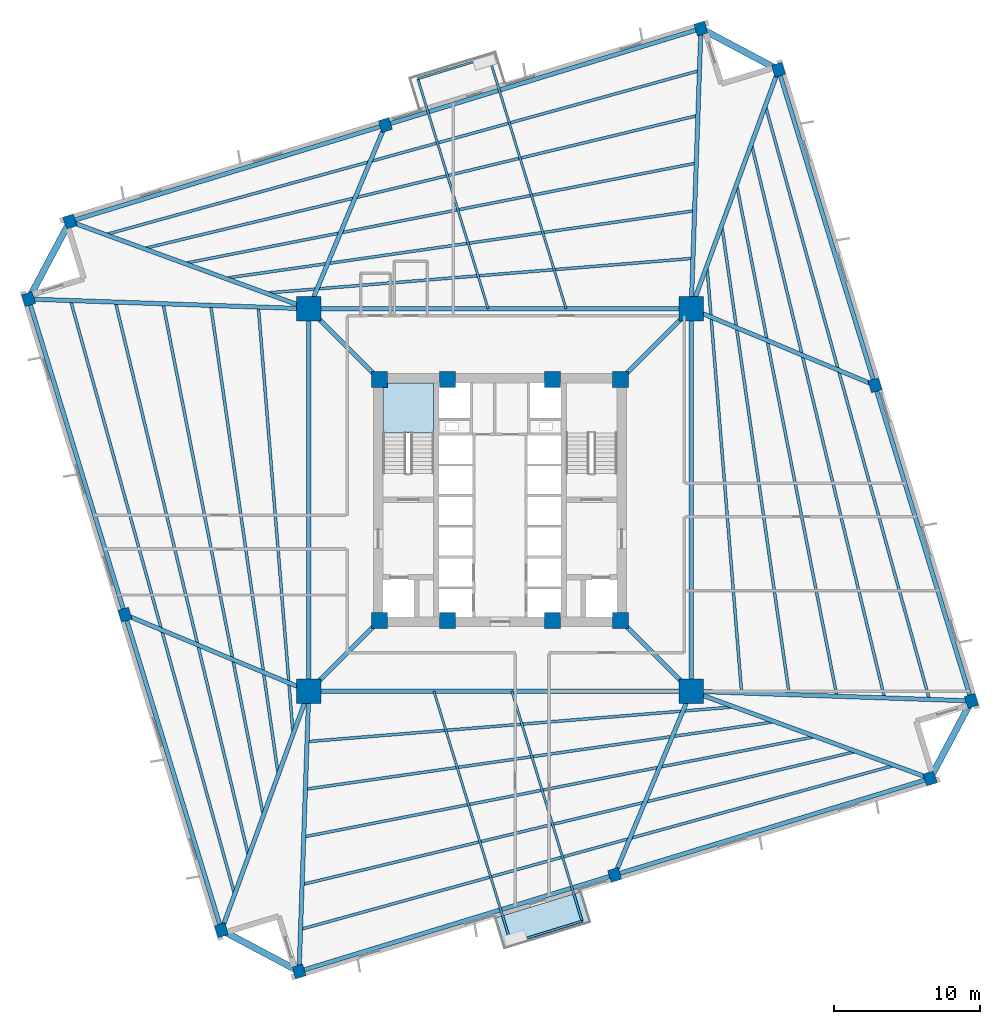
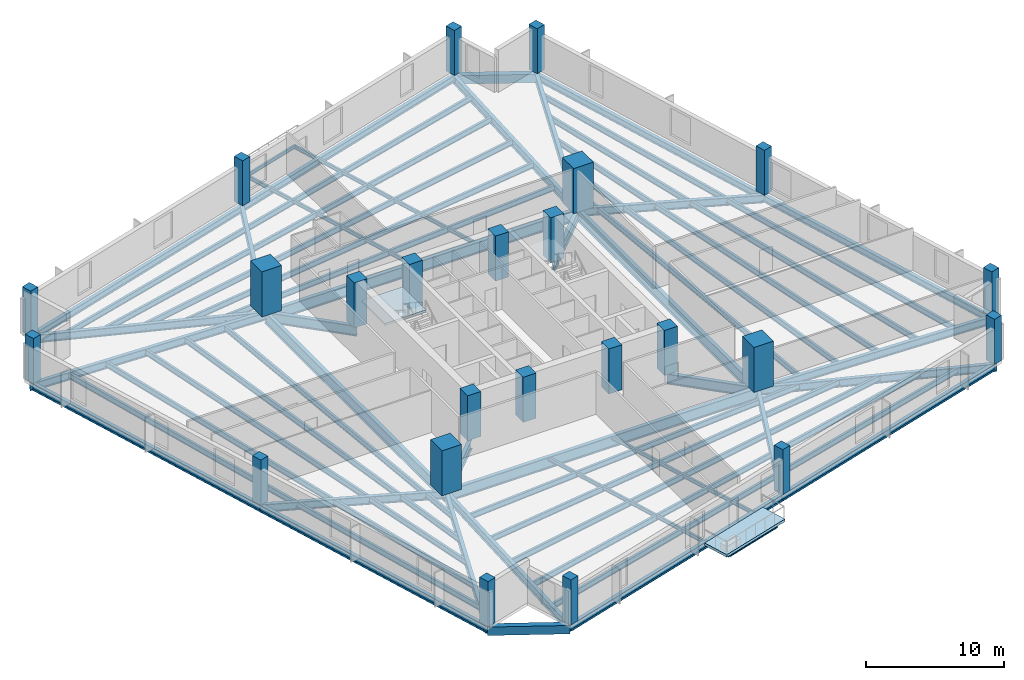
# One storey, part 1 of 8: 58 beams, 24 columns, 2 slabs, 1 element without a shape of its own.
"""IFC4 building model written with IfcOpenShell, lengths in metres."""

from ifc_helpers import new_model, si_unit, direction, frame, origin, origin_2d, place, context, subcontext, project, spatial, polyline, rectangle, i_section, outline, extrude, source, transform, mapped, material, layer, layer_set, material_profile, profile_set, type_object, element, aggregate, save


model = new_model("IFC4")

# Units and contexts
model_context = context("Model", 3, precision=1e-05, world=origin(), true_north=direction((0.0, 1.0)))
body_context = subcontext(model_context, "Body", "Model", "MODEL_VIEW")
ifc_project = project(units=[si_unit("LENGTHUNIT", "METRE"), si_unit("AREAUNIT", "SQUARE_METRE"), si_unit("VOLUMEUNIT", "CUBIC_METRE"), si_unit("PLANEANGLEUNIT", "RADIAN"), si_unit("MASSUNIT", "GRAM", prefix="KILO"), si_unit("THERMODYNAMICTEMPERATUREUNIT", "KELVIN")], contexts=[model_context])

# Site, building, storey
site_placement = place(None, origin())
site = spatial("IfcSite", under=ifc_project, at=site_placement, CompositionType="ELEMENT")
building_placement = place(site_placement, origin())
building = spatial("IfcBuilding", under=site, at=building_placement, Name="Kosmvard Interchange Tower", CompositionType="ELEMENT")
storey_placement = place(building_placement, frame((0.0, 0.0, 103.199951171875)))
storey = spatial("IfcBuildingStorey", under=building, at=storey_placement, Name="L24", CompositionType="ELEMENT", Elevation=103.199951171875)

# Columns
ifc_material_1 = material(Name="Concrete C80/95", Category="concrete")
ifc_material_profile_1 = material_profile(ifc_material_1, rectangle(XDim=1.10009765625, YDim=1.10009765625, at=origin_2d()), Name="CP 1100x1100")
ifc_profile_set_1 = profile_set([ifc_material_profile_1], Name="Concrete C80/95")
column_type_1 = type_object("IfcColumnType", Name="Core Boundary Pilaster 1100x1100 C80/95", PredefinedType="PILASTER", material=ifc_profile_set_1)
shared_shape_1 = source(origin(), body_context, "Body", "SweptSolid", [
    extrude(rectangle(XDim=1.10009765625, YDim=1.10009765625, at=origin_2d()), origin(), (0.0, 0.0, 1.0), 4.0),
])
for number, where, z_axis, x_axis, name in (
    (1, (-8.25, -8.25, 0.0), (0.0, 0.0, 1.0), (1.0, 0.0, 0.0), "L24 Core Pilaster CP1"),
    (2, (8.25, -8.25, 0.0), (0.0, 0.0, 1.0), (1.0, 0.0, 0.0), "L24 Core Pilaster CP2"),
    (3, (8.25, 8.25, 0.0), (0.0, 0.0, 1.0), (1.0, 0.0, 0.0), "L24 Core Pilaster CP3"),
    (4, (-8.25, 8.25, 0.0), (0.0, 0.0, 1.0), (1.0, 0.0, 0.0), "L24 Core Pilaster CP4"),
    (5, (-3.60009765625, -8.25, 0.0), (0.0, 0.0, 1.0), (1.0, 0.0, 0.0), "L24 Core Pilaster CP5"),
    (6, (3.60009765625, -8.25, 0.0), (0.0, 0.0, 1.0), (1.0, 0.0, 0.0), "L24 Core Pilaster CP6"),
    (7, (-3.60009765625, 8.25, 0.0), (0.0, 0.0, 1.0), (1.0, 0.0, 0.0), "L24 Core Pilaster CP7"),
    (8, (3.60009765625, 8.25, 0.0), (0.0, 0.0, 1.0), (1.0, 0.0, 0.0), "L24 Core Pilaster CP8"),
):
    element("IfcColumn", number, at=place(storey_placement, frame(where, z_axis=z_axis, x_axis=x_axis)), inside=storey, type_object=column_type_1, Name=name, PredefinedType="PILASTER", context=body_context, shape_type="MappedRepresentation", body=[
        mapped(shared_shape_1, transform((0.0, 0.0, 0.0), scale=1.0)),
    ])
ifc_material_2 = material(Name="Concrete C70/85", Category="concrete")
ifc_material_profile_2 = material_profile(ifc_material_2, rectangle(XDim=1.64990234375, YDim=1.64990234375, at=origin_2d()), Name="MC 1650x1650")
ifc_profile_set_2 = profile_set([ifc_material_profile_2], Name="Concrete C70/85")
column_type_2 = type_object("IfcColumnType", Name="Composite Mega-Column 1650x1650 C70/85", PredefinedType="COLUMN", material=ifc_profile_set_2)
shared_shape_2 = source(origin(), body_context, "Body", "SweptSolid", [
    extrude(rectangle(XDim=1.64990234375, YDim=1.64990234375, at=origin_2d()), origin(), (0.0, 0.0, 1.0), 4.0),
])
for number, where, z_axis, x_axis, name in (
    (9, (-13.0810546875, -13.0810546875, 0.0), (0.0, 0.0, 1.0), (1.0, 0.0, 0.0), "L24 Corner Mega-Column MC1"),
    (10, (13.0810546875, -13.0810546875, 0.0), (0.0, 0.0, 1.0), (1.0, 0.0, 0.0), "L24 Corner Mega-Column MC2"),
    (11, (13.0810546875, 13.0810546875, 0.0), (0.0, 0.0, 1.0), (1.0, 0.0, 0.0), "L24 Corner Mega-Column MC3"),
    (12, (-13.0810546875, 13.0810546875, 0.0), (0.0, 0.0, 1.0), (1.0, 0.0, 0.0), "L24 Corner Mega-Column MC4"),
):
    element("IfcColumn", number, at=place(storey_placement, frame(where, z_axis=z_axis, x_axis=x_axis)), inside=storey, type_object=column_type_2, Name=name, PredefinedType="COLUMN", context=body_context, shape_type="MappedRepresentation", body=[
        mapped(shared_shape_2, transform((0.0, 0.0, 0.0), scale=1.0)),
    ])
ifc_material_3 = material(Name="Concrete C60/75", Category="concrete")
ifc_material_profile_3 = material_profile(ifc_material_3, rectangle(XDim=0.75, YDim=0.85009765625, at=origin_2d()), Name="TC 850x750")
ifc_profile_set_3 = profile_set([ifc_material_profile_3], Name="Concrete C60/75")
column_type_3 = type_object("IfcColumnType", Name="Zone 2 Perimeter Pier Column 850x750 C60/75", PredefinedType="COLUMN", material=ifc_profile_set_3)
shared_shape_3 = source(origin(), body_context, "Body", "SweptSolid", [
    extrude(rectangle(XDim=0.75, YDim=0.85009765625, at=origin_2d()), origin(), (0.0, 0.0, 1.0), 4.0),
])
for number, where, z_axis, x_axis, name in (
    (13, (-13.74560546875, -32.253173828125, 0.0), (0.0, 0.0, 1.0), (0.956304755963, 0.292371704723, 0.0), "L24 Perimeter Pier Column TC-S1"),
    (14, (7.8427734375, -25.65283203125, 0.0), (0.0, 0.0, 1.0), (0.956304755963, 0.292371704723, 0.0), "L24 Perimeter Pier Column TC-S2"),
    (15, (29.431396484375, -19.052490234375, 0.0), (0.0, 0.0, 1.0), (0.956304755963, 0.292371704723, 0.0), "L24 Perimeter Pier Column TC-S3"),
    (16, (32.253173828125, -13.74560546875, 0.0), (0.0, 0.0, 1.0), (0.956304755963, 0.292371704723, 0.0), "L24 Perimeter Pier Column TC-E1"),
    (17, (25.65283203125, 7.8427734375, 0.0), (0.0, 0.0, 1.0), (0.956304755963, 0.292371704723, 0.0), "L24 Perimeter Pier Column TC-E2"),
    (18, (19.052490234375, 29.431396484375, 0.0), (0.0, 0.0, 1.0), (0.956304755963, 0.292371704723, 0.0), "L24 Perimeter Pier Column TC-E3"),
    (19, (13.74560546875, 32.253173828125, 0.0), (0.0, 0.0, 1.0), (0.956304755963, 0.292371704723, 0.0), "L24 Perimeter Pier Column TC-N1"),
    (20, (-7.8427734375, 25.65283203125, 0.0), (0.0, 0.0, 1.0), (0.956304755963, 0.292371704723, 0.0), "L24 Perimeter Pier Column TC-N2"),
    (21, (-29.431396484375, 19.052490234375, 0.0), (0.0, 0.0, 1.0), (0.956304755963, 0.292371704723, 0.0), "L24 Perimeter Pier Column TC-N3"),
    (22, (-32.253173828125, 13.74560546875, 0.0), (0.0, 0.0, 1.0), (0.956304755963, 0.292371704723, 0.0), "L24 Perimeter Pier Column TC-W1"),
    (23, (-25.65283203125, -7.8427734375, 0.0), (0.0, 0.0, 1.0), (0.956304755963, 0.292371704723, 0.0), "L24 Perimeter Pier Column TC-W2"),
    (24, (-19.052490234375, -29.431396484375, 0.0), (0.0, 0.0, 1.0), (0.956304755963, 0.292371704723, 0.0), "L24 Perimeter Pier Column TC-W3"),
):
    element("IfcColumn", number, at=place(storey_placement, frame(where, z_axis=z_axis, x_axis=x_axis)), inside=storey, type_object=column_type_3, Name=name, PredefinedType="COLUMN", context=body_context, shape_type="MappedRepresentation", body=[
        mapped(shared_shape_3, transform((0.0, 0.0, 0.0), scale=1.0)),
    ])

# Beams
ifc_material_4 = material(Name="Steel S460", Category="steel")
ifc_material_profile_4 = material_profile(ifc_material_4, i_section(OverallWidth=0.30810546875, OverallDepth=0.909912109375, WebThickness=0.02099609375, FlangeThickness=0.0400390625, FilletRadius=0.027099609375, at=origin_2d()), Name="HEM 900")
ifc_profile_set_4 = profile_set([ifc_material_profile_4], Name="Steel S460")
beam_type_1 = type_object("IfcBeamType", Name="Primary Mega-Frame Girder HEM 900 S460", PredefinedType="BEAM", material=ifc_profile_set_4)
shared_shape_4 = source(origin(), body_context, "Body", "SweptSolid", [
    extrude(i_section(OverallWidth=0.30810546875, OverallDepth=0.909912109375, WebThickness=0.02099609375, FlangeThickness=0.0400390625, FilletRadius=0.027099609375, at=origin_2d()), origin(), (0.0, 0.0, 1.0), 6.83203125),
])
for number, where, z_axis, x_axis, name in (
    (25, (-8.25, -8.25, -0.71484375), (-0.707106781187, -0.707106781187, 0.0), (0.707106781187, -0.707106781187, 0.0), "L24 Radial Mega-Frame Girder 1"),
    (26, (8.25, -8.25, -0.71484375), (0.707106781187, -0.707106781187, 0.0), (0.707106781187, 0.707106781187, 0.0), "L24 Radial Mega-Frame Girder 2"),
    (27, (8.25, 8.25, -0.71484375), (0.707106781187, 0.707106781187, 0.0), (-0.707106781187, 0.707106781187, 0.0), "L24 Radial Mega-Frame Girder 3"),
    (28, (-8.25, 8.25, -0.71484375), (-0.707106781187, 0.707106781187, 0.0), (-0.707106781187, -0.707106781187, 0.0), "L24 Radial Mega-Frame Girder 4"),
):
    element("IfcBeam", number, at=place(storey_placement, frame(where, z_axis=z_axis, x_axis=x_axis)), inside=storey, type_object=beam_type_1, Name=name, PredefinedType="BEAM", context=body_context, shape_type="MappedRepresentation", body=[
        mapped(shared_shape_4, transform((0.0, 0.0, 0.0), scale=1.0)),
    ])
ifc_material_profile_5 = material_profile(ifc_material_4, i_section(OverallWidth=0.30908203125, OverallDepth=1.008056640625, WebThickness=0.02099609375, FlangeThickness=0.0400390625, FilletRadius=0.030029296875, at=origin_2d()), Name="HEM 1000")
ifc_profile_set_5 = profile_set([ifc_material_profile_5], Name="Steel S460")
beam_type_2 = type_object("IfcBeamType", Name="Mega-Column Ring Girder HEM 1000 S460", PredefinedType="BEAM", material=ifc_profile_set_5)
shared_shape_5 = source(origin(), body_context, "Body", "SweptSolid", [
    extrude(i_section(OverallWidth=0.30908203125, OverallDepth=1.008056640625, WebThickness=0.02099609375, FlangeThickness=0.0400390625, FilletRadius=0.030029296875, at=origin_2d()), origin(), (0.0, 0.0, 1.0), 26.162109375),
])
for number, where, z_axis, x_axis, name in (
    (29, (-13.0810546875, -13.0810546875, -0.763916015625), (1.0, 0.0, 0.0), (0.0, 1.0, 0.0), "L24 Mega-Column Ring Girder 1"),
    (30, (13.0810546875, -13.0810546875, -0.763916015625), (0.0, 1.0, 0.0), (-1.0, 0.0, 0.0), "L24 Mega-Column Ring Girder 2"),
    (31, (13.0810546875, 13.0810546875, -0.763916015625), (-1.0, 0.0, 0.0), (0.0, -1.0, 0.0), "L24 Mega-Column Ring Girder 3"),
    (32, (-13.0810546875, 13.0810546875, -0.763916015625), (0.0, -1.0, 0.0), (1.0, 0.0, 0.0), "L24 Mega-Column Ring Girder 4"),
):
    element("IfcBeam", number, at=place(storey_placement, frame(where, z_axis=z_axis, x_axis=x_axis)), inside=storey, type_object=beam_type_2, Name=name, PredefinedType="BEAM", context=body_context, shape_type="MappedRepresentation", body=[
        mapped(shared_shape_5, transform((0.0, 0.0, 0.0), scale=1.0)),
    ])
ifc_material_5 = material(Name="Steel S355", Category="steel")
ifc_material_profile_6 = material_profile(ifc_material_5, i_section(OverallWidth=0.300048828125, OverallDepth=0.60009765625, WebThickness=0.015380859375, FlangeThickness=0.030029296875, FilletRadius=0.027099609375, at=origin_2d()), Name="HEB 600")
ifc_profile_set_6 = profile_set([ifc_material_profile_6], Name="Steel S355")
beam_type_3 = type_object("IfcBeamType", Name="Perimeter Tie Girder HEB 600 S355", PredefinedType="BEAM", material=ifc_profile_set_6)
shared_shape_6 = source(origin(), body_context, "Body", "SweptSolid", [
    extrude(i_section(OverallWidth=0.300048828125, OverallDepth=0.60009765625, WebThickness=0.015380859375, FlangeThickness=0.030029296875, FilletRadius=0.027099609375, at=origin_2d()), origin(), (0.0, 0.0, 1.0), 22.57470703125),
])
for number, where, z_axis, x_axis, name in (
    (33, (-13.74560546875, -32.253173828125, -0.56005859375), (0.956303368768, 0.292376241995, 0.0), (-0.292376241995, 0.956303368768, 0.0), "BM-L24-PR01"),
    (34, (32.253173828125, -13.74560546875, -0.56005859375), (-0.292376241995, 0.956303368768, 0.0), (-0.956303368768, -0.292376241995, 0.0), "BM-L24-PR04"),
    (35, (13.74560546875, 32.253173828125, -0.56005859375), (-0.956303368768, -0.292376241995, 0.0), (0.292376241995, -0.956303368768, 0.0), "BM-L24-PR07"),
    (36, (-32.253173828125, 13.74560546875, -0.56005859375), (0.292376241995, -0.956303368768, 0.0), (0.956303368768, 0.292376241995, 0.0), "BM-L24-PR10"),
):
    element("IfcBeam", number, at=place(storey_placement, frame(where, z_axis=z_axis, x_axis=x_axis)), inside=storey, type_object=beam_type_3, Name=name, PredefinedType="BEAM", context=body_context, shape_type="MappedRepresentation", body=[
        mapped(shared_shape_6, transform((0.0, 0.0, 0.0), scale=1.0)),
    ])
ifc_material_profile_7 = material_profile(ifc_material_5, i_section(OverallWidth=0.300048828125, OverallDepth=0.699951171875, WebThickness=0.01708984375, FlangeThickness=0.031982421875, FilletRadius=0.027099609375, at=origin_2d()), Name="HEB 700")
ifc_profile_set_7 = profile_set([ifc_material_profile_7], Name="Steel S355")
beam_type_4 = type_object("IfcBeamType", Name="Primary Floor Girder HEB 700 S355", PredefinedType="BEAM", material=ifc_profile_set_7)
shared_shape_7 = source(origin(), body_context, "Body", "SweptSolid", [
    extrude(i_section(OverallWidth=0.300048828125, OverallDepth=0.699951171875, WebThickness=0.01708984375, FlangeThickness=0.031982421875, FilletRadius=0.027099609375, at=origin_2d()), origin(), (0.0, 0.0, 1.0), 19.18359375),
])
for number, where, z_axis, x_axis, name in (
    (37, (-13.0810546875, -13.0810546875, -0.60986328125), (-0.034641549738, -0.999399801397, 0.0), (0.999399801397, -0.034641549738, 0.0), "BM-L24-RD01"),
    (38, (13.0810546875, -13.0810546875, -0.60986328125), (0.999399801397, -0.034641549738, 0.0), (0.034641549738, 0.999399801397, 0.0), "BM-L24-RD04"),
    (39, (13.0810546875, 13.0810546875, -0.60986328125), (0.034641549738, 0.999399801397, 0.0), (-0.999399801397, 0.034641549738, 0.0), "BM-L24-RD07"),
    (40, (-13.0810546875, 13.0810546875, -0.60986328125), (-0.999399801397, 0.034641549738, 0.0), (-0.034641549738, -0.999399801397, 0.0), "BM-L24-RD10"),
):
    element("IfcBeam", number, at=place(storey_placement, frame(where, z_axis=z_axis, x_axis=x_axis)), inside=storey, type_object=beam_type_4, Name=name, PredefinedType="BEAM", context=body_context, shape_type="MappedRepresentation", body=[
        mapped(shared_shape_7, transform((0.0, 0.0, 0.0), scale=1.0)),
    ])
shared_shape_8 = source(origin(), body_context, "Body", "SweptSolid", [
    extrude(i_section(OverallWidth=0.300048828125, OverallDepth=0.60009765625, WebThickness=0.015380859375, FlangeThickness=0.030029296875, FilletRadius=0.027099609375, at=origin_2d()), origin(), (0.0, 0.0, 1.0), 22.574951171875),
])
for number, where, z_axis, x_axis, name in (
    (41, (7.8427734375, -25.65283203125, -0.56005859375), (0.956304293239, 0.292373218222, 0.0), (-0.292373218222, 0.956304293239, 0.0), "BM-L24-PR02"),
    (42, (25.65283203125, 7.8427734375, -0.56005859375), (-0.292373218222, 0.956304293239, 0.0), (-0.956304293239, -0.292373218222, 0.0), "BM-L24-PR05"),
    (43, (-7.8427734375, 25.65283203125, -0.56005859375), (-0.956304293239, -0.292373218222, 0.0), (0.292373218222, -0.956304293239, 0.0), "BM-L24-PR08"),
    (44, (-25.65283203125, -7.8427734375, -0.56005859375), (0.292373218222, -0.956304293239, 0.0), (0.956304293239, 0.292373218222, 0.0), "BM-L24-PR11"),
):
    element("IfcBeam", number, at=place(storey_placement, frame(where, z_axis=z_axis, x_axis=x_axis)), inside=storey, type_object=beam_type_3, Name=name, PredefinedType="BEAM", context=body_context, shape_type="MappedRepresentation", body=[
        mapped(shared_shape_8, transform((0.0, 0.0, 0.0), scale=1.0)),
    ])
shared_shape_9 = source(origin(), body_context, "Body", "SweptSolid", [
    extrude(i_section(OverallWidth=0.300048828125, OverallDepth=0.699951171875, WebThickness=0.01708984375, FlangeThickness=0.031982421875, FilletRadius=0.027099609375, at=origin_2d()), origin(), (0.0, 0.0, 1.0), 13.619384765625),
])
for number, where, z_axis, x_axis, name in (
    (45, (13.0810546875, -13.0810546875, -0.60986328125), (-0.384617930303, -0.92307586237, 0.0), (0.92307586237, -0.384617930303, 0.0), "BM-L24-RD02"),
    (46, (13.0810546875, 13.0810546875, -0.60986328125), (0.92307586237, -0.384617930303, 0.0), (0.384617930303, 0.92307586237, 0.0), "BM-L24-RD05"),
    (47, (-13.0810546875, 13.0810546875, -0.60986328125), (0.384617930303, 0.92307586237, 0.0), (-0.92307586237, 0.384617930303, 0.0), "BM-L24-RD08"),
    (48, (-13.0810546875, -13.0810546875, -0.60986328125), (-0.92307586237, 0.384617930303, 0.0), (-0.384617930303, -0.92307586237, 0.0), "BM-L24-RD11"),
):
    element("IfcBeam", number, at=place(storey_placement, frame(where, z_axis=z_axis, x_axis=x_axis)), inside=storey, type_object=beam_type_4, Name=name, PredefinedType="BEAM", context=body_context, shape_type="MappedRepresentation", body=[
        mapped(shared_shape_9, transform((0.0, 0.0, 0.0), scale=1.0)),
    ])
ifc_material_6 = material(Name="Precast concrete C45/55", Category="concrete")
ifc_material_profile_8 = material_profile(ifc_material_6, rectangle(XDim=0.449951171875, YDim=0.75, at=origin_2d()), Name="SL 450x750")
ifc_profile_set_8 = profile_set([ifc_material_profile_8], Name="Precast concrete C45/55")
beam_type_5 = type_object("IfcBeamType", Name="Precast Spandrel Lintel 450x750 C45/55", PredefinedType="LINTEL", material=ifc_profile_set_8)
shared_shape_10 = source(origin(), body_context, "Body", "SweptSolid", [
    extrude(rectangle(XDim=0.449951171875, YDim=0.75, at=origin_2d()), origin(), (0.0, 0.0, 1.0), 6.010498046875),
])
for number, where, z_axis, x_axis, name in (
    (49, (29.431396484375, -19.052490234375, -0.635009765625), (0.469478912111, 0.882943685114, 0.0), (-0.882943685114, 0.469478912111, 0.0), "BM-L24-SL1"),
    (50, (19.052490234375, 29.431396484375, -0.635009765625), (-0.882943685114, 0.469478912111, 0.0), (-0.469478912111, -0.882943685114, 0.0), "BM-L24-SL2"),
    (51, (-29.431396484375, 19.052490234375, -0.635009765625), (-0.469478912111, -0.882943685114, 0.0), (0.882943685114, -0.469478912111, 0.0), "BM-L24-SL3"),
    (52, (-19.052490234375, -29.431396484375, -0.635009765625), (0.882943685114, -0.469478912111, 0.0), (0.469478912111, 0.882943685114, 0.0), "BM-L24-SL4"),
):
    element("IfcBeam", number, at=place(storey_placement, frame(where, z_axis=z_axis, x_axis=x_axis)), inside=storey, type_object=beam_type_5, Name=name, PredefinedType="LINTEL", context=body_context, shape_type="MappedRepresentation", body=[
        mapped(shared_shape_10, transform((0.0, 0.0, 0.0), scale=1.0)),
    ])
shared_shape_11 = source(origin(), body_context, "Body", "SweptSolid", [
    extrude(i_section(OverallWidth=0.300048828125, OverallDepth=0.699951171875, WebThickness=0.01708984375, FlangeThickness=0.031982421875, FilletRadius=0.027099609375, at=origin_2d()), origin(), (0.0, 0.0, 1.0), 17.40673828125),
])
for number, where, z_axis, x_axis, name in (
    (53, (13.0810546875, -13.0810546875, -0.60986328125), (0.939315429031, -0.343054696491, 0.0), (0.343054696491, 0.939315429031, 0.0), "BM-L24-RD03"),
    (54, (13.0810546875, 13.0810546875, -0.60986328125), (0.343054696491, 0.939315429031, 0.0), (-0.939315429031, 0.343054696491, 0.0), "BM-L24-RD06"),
    (55, (-13.0810546875, 13.0810546875, -0.60986328125), (-0.939315429031, 0.343054696491, 0.0), (-0.343054696491, -0.939315429031, 0.0), "BM-L24-RD09"),
    (56, (-13.0810546875, -13.0810546875, -0.60986328125), (-0.343054696491, -0.939315429031, 0.0), (0.939315429031, -0.343054696491, 0.0), "BM-L24-RD12"),
):
    element("IfcBeam", number, at=place(storey_placement, frame(where, z_axis=z_axis, x_axis=x_axis)), inside=storey, type_object=beam_type_4, Name=name, PredefinedType="BEAM", context=body_context, shape_type="MappedRepresentation", body=[
        mapped(shared_shape_11, transform((0.0, 0.0, 0.0), scale=1.0)),
    ])
ifc_material_profile_9 = material_profile(ifc_material_5, i_section(OverallWidth=0.199951171875, OverallDepth=0.5, WebThickness=0.01025390625, FlangeThickness=0.01611328125, FilletRadius=0.02099609375, at=origin_2d()), Name="IPE 500")
ifc_profile_set_9 = profile_set([ifc_material_profile_9], Name="Steel S355")
beam_type_6 = type_object("IfcBeamType", Name="Standard Floor Joist IPE 500 S355", PredefinedType="JOIST", material=ifc_profile_set_9)
shared_shape_12 = source(origin(), body_context, "Body", "SweptSolid", [
    extrude(i_section(OverallWidth=0.199951171875, OverallDepth=0.5, WebThickness=0.01025390625, FlangeThickness=0.01611328125, FilletRadius=0.02099609375, at=origin_2d()), origin(), (0.0, 0.0, 1.0), 29.1611328125),
])
for number, where, z_axis, x_axis, name in (
    (57, (-13.120849609375, -16.525390625, -0.510009765625), (0.99671134435, 0.081033919093, 0.0), (-0.081033919093, 0.99671134435, 0.0), "BM-L24-FJ01"),
    (58, (16.525390625, -13.120849609375, -0.510009765625), (-0.081033919093, 0.99671134435, 0.0), (-0.99671134435, -0.081033919093, 0.0), "BM-L24-FJ06"),
    (59, (13.120849609375, 16.525390625, -0.510009765625), (-0.99671134435, -0.081033919093, 0.0), (0.081033919093, -0.99671134435, 0.0), "BM-L24-FJ11"),
    (60, (-16.525390625, 13.120849609375, -0.510009765625), (0.081033919093, -0.99671134435, 0.0), (0.99671134435, 0.081033919093, 0.0), "BM-L24-FJ16"),
):
    element("IfcBeam", number, at=place(storey_placement, frame(where, z_axis=z_axis, x_axis=x_axis)), inside=storey, type_object=beam_type_6, Name=name, PredefinedType="JOIST", context=body_context, shape_type="MappedRepresentation", body=[
        mapped(shared_shape_12, transform((0.0, 0.0, 0.0), scale=1.0)),
    ])
shared_shape_13 = source(origin(), body_context, "Body", "SweptSolid", [
    extrude(i_section(OverallWidth=0.199951171875, OverallDepth=0.5, WebThickness=0.01025390625, FlangeThickness=0.01611328125, FilletRadius=0.02099609375, at=origin_2d()), origin(), (0.0, 0.0, 1.0), 32.287841796875),
])
for number, where, z_axis, x_axis, name in (
    (61, (-13.234375, -19.77978515625, -0.510009765625), (0.989810798314, 0.142388846268, 0.0), (-0.142388846268, 0.989810798314, 0.0), "BM-L24-FJ02"),
    (62, (19.77978515625, -13.234375, -0.510009765625), (-0.142388846268, 0.989810798314, 0.0), (-0.989810798314, -0.142388846268, 0.0), "BM-L24-FJ07"),
    (63, (13.234375, 19.77978515625, -0.510009765625), (-0.989810798314, -0.142388846268, 0.0), (0.142388846268, -0.989810798314, 0.0), "BM-L24-FJ12"),
    (64, (-19.77978515625, 13.234375, -0.510009765625), (0.142388846268, -0.989810798314, 0.0), (0.989810798314, 0.142388846268, 0.0), "BM-L24-FJ17"),
):
    element("IfcBeam", number, at=place(storey_placement, frame(where, z_axis=z_axis, x_axis=x_axis)), inside=storey, type_object=beam_type_6, Name=name, PredefinedType="JOIST", context=body_context, shape_type="MappedRepresentation", body=[
        mapped(shared_shape_13, transform((0.0, 0.0, 0.0), scale=1.0)),
    ])
shared_shape_14 = source(origin(), body_context, "Body", "SweptSolid", [
    extrude(i_section(OverallWidth=0.199951171875, OverallDepth=0.5, WebThickness=0.01025390625, FlangeThickness=0.01611328125, FilletRadius=0.02099609375, at=origin_2d()), origin(), (0.0, 0.0, 1.0), 35.516357421875),
])
for number, where, z_axis, x_axis, name in (
    (65, (-13.34814453125, -23.03515625, -0.510009765625), (0.981315785618, 0.192404077134, 0.0), (-0.192404077134, 0.981315785618, 0.0), "BM-L24-FJ03"),
    (66, (23.03515625, -13.34814453125, -0.510009765625), (-0.192404077134, 0.981315785618, 0.0), (-0.981315785618, -0.192404077134, 0.0), "BM-L24-FJ08"),
    (67, (13.34814453125, 23.03515625, -0.510009765625), (-0.981315785618, -0.192404077134, 0.0), (0.192404077134, -0.981315785618, 0.0), "BM-L24-FJ13"),
    (68, (-23.03515625, 13.34814453125, -0.510009765625), (0.192404077134, -0.981315785618, 0.0), (0.981315785618, 0.192404077134, 0.0), "BM-L24-FJ18"),
):
    element("IfcBeam", number, at=place(storey_placement, frame(where, z_axis=z_axis, x_axis=x_axis)), inside=storey, type_object=beam_type_6, Name=name, PredefinedType="JOIST", context=body_context, shape_type="MappedRepresentation", body=[
        mapped(shared_shape_14, transform((0.0, 0.0, 0.0), scale=1.0)),
    ])
shared_shape_15 = source(origin(), body_context, "Body", "SweptSolid", [
    extrude(i_section(OverallWidth=0.199951171875, OverallDepth=0.5, WebThickness=0.01025390625, FlangeThickness=0.01611328125, FilletRadius=0.02099609375, at=origin_2d()), origin(), (0.0, 0.0, 1.0), 38.821533203125),
])
for number, where, z_axis, x_axis, name in (
    (69, (-13.4619140625, -26.291015625, -0.510009765625), (0.972318244358, 0.233660505198, 0.0), (-0.233660505198, 0.972318244358, 0.0), "BM-L24-FJ04"),
    (70, (26.291015625, -13.4619140625, -0.510009765625), (-0.233660505198, 0.972318244358, 0.0), (-0.972318244358, -0.233660505198, 0.0), "BM-L24-FJ09"),
    (71, (13.4619140625, 26.291015625, -0.510009765625), (-0.972318244358, -0.233660505198, 0.0), (0.233660505198, -0.972318244358, 0.0), "BM-L24-FJ14"),
    (72, (-26.291015625, 13.4619140625, -0.510009765625), (0.233660505198, -0.972318244358, 0.0), (0.972318244358, 0.233660505198, 0.0), "BM-L24-FJ19"),
):
    element("IfcBeam", number, at=place(storey_placement, frame(where, z_axis=z_axis, x_axis=x_axis)), inside=storey, type_object=beam_type_6, Name=name, PredefinedType="JOIST", context=body_context, shape_type="MappedRepresentation", body=[
        mapped(shared_shape_15, transform((0.0, 0.0, 0.0), scale=1.0)),
    ])
shared_shape_16 = source(origin(), body_context, "Body", "SweptSolid", [
    extrude(i_section(OverallWidth=0.199951171875, OverallDepth=0.5, WebThickness=0.01025390625, FlangeThickness=0.01611328125, FilletRadius=0.02099609375, at=origin_2d()), origin(), (0.0, 0.0, 1.0), 41.98583984375),
])
for number, where, z_axis, x_axis, name in (
    (73, (-13.56884765625, -29.35595703125, -0.510009765625), (0.96391074105, 0.266225624778, 0.0), (-0.266225624778, 0.96391074105, 0.0), "BM-L24-FJ05"),
    (74, (29.35595703125, -13.56884765625, -0.510009765625), (-0.266225624778, 0.96391074105, 0.0), (-0.96391074105, -0.266225624778, 0.0), "BM-L24-FJ10"),
    (75, (13.56884765625, 29.35595703125, -0.510009765625), (-0.96391074105, -0.266225624778, 0.0), (0.266225624778, -0.96391074105, 0.0), "BM-L24-FJ15"),
    (76, (-29.35595703125, 13.56884765625, -0.510009765625), (0.266225624778, -0.96391074105, 0.0), (0.96391074105, 0.266225624778, 0.0), "BM-L24-FJ20"),
):
    element("IfcBeam", number, at=place(storey_placement, frame(where, z_axis=z_axis, x_axis=x_axis)), inside=storey, type_object=beam_type_6, Name=name, PredefinedType="JOIST", context=body_context, shape_type="MappedRepresentation", body=[
        mapped(shared_shape_16, transform((0.0, 0.0, 0.0), scale=1.0)),
    ])
ifc_material_profile_10 = material_profile(ifc_material_5, i_section(OverallWidth=0.159912109375, OverallDepth=0.330078125, WebThickness=0.007568359375, FlangeThickness=0.011474609375, FilletRadius=0.01806640625, at=origin_2d()), Name="IPE 330")
ifc_profile_set_10 = profile_set([ifc_material_profile_10], Name="Steel S355")
beam_type_7 = type_object("IfcBeamType", Name="Balcony Cantilever Joist IPE 330 S355", PredefinedType="JOIST", material=ifc_profile_set_10)
shared_shape_17 = source(origin(), body_context, "Body", "SweptSolid", [
    extrude(i_section(OverallWidth=0.159912109375, OverallDepth=0.330078125, WebThickness=0.007568359375, FlangeThickness=0.011474609375, FilletRadius=0.01806640625, at=origin_2d()), origin(), (0.0, 0.0, 1.0), 18.012939453125),
])
for number, where, z_axis, x_axis, name in (
    (77, (4.523193359375, 13.0810546875, -0.425048828125), (-0.292378649758, 0.956302632625, 0.0), (-0.956302632625, -0.292378649758, 0.0), "BM-L24-BJ1"),
    (78, (-4.523193359375, -13.0810546875, -0.425048828125), (0.292378649758, -0.956302632625, 0.0), (0.956302632625, 0.292378649758, 0.0), "BM-L24-BJ2"),
):
    element("IfcBeam", number, at=place(storey_placement, frame(where, z_axis=z_axis, x_axis=x_axis)), inside=storey, type_object=beam_type_7, Name=name, PredefinedType="JOIST", context=body_context, shape_type="MappedRepresentation", body=[
        mapped(shared_shape_17, transform((0.0, 0.0, 0.0), scale=1.0)),
    ])
shared_shape_18 = source(origin(), body_context, "Body", "SweptSolid", [
    extrude(i_section(OverallWidth=0.159912109375, OverallDepth=0.330078125, WebThickness=0.007568359375, FlangeThickness=0.011474609375, FilletRadius=0.01806640625, at=origin_2d()), origin(), (0.0, 0.0, 1.0), 16.453857421875),
])
for number, where, z_axis, x_axis, name in (
    (79, (-0.809814453125, 13.0810546875, -0.425048828125), (-0.292380627761, 0.956302027871, 0.0), (-0.956302027871, -0.292380627761, 0.0), "BM-L24-BJB1"),
    (80, (0.809814453125, -13.0810546875, -0.425048828125), (0.292380627761, -0.956302027871, 0.0), (0.956302027871, 0.292380627761, 0.0), "BM-L24-BJB2"),
):
    element("IfcBeam", number, at=place(storey_placement, frame(where, z_axis=z_axis, x_axis=x_axis)), inside=storey, type_object=beam_type_7, Name=name, PredefinedType="JOIST", context=body_context, shape_type="MappedRepresentation", body=[
        mapped(shared_shape_18, transform((0.0, 0.0, 0.0), scale=1.0)),
    ])
ifc_material_profile_11 = material_profile(ifc_material_5, i_section(OverallWidth=0.14990234375, OverallDepth=0.300048828125, WebThickness=0.007080078125, FlangeThickness=0.0107421875, FilletRadius=0.014892578125, at=origin_2d()), Name="IPE 300")
ifc_profile_set_11 = profile_set([ifc_material_profile_11], Name="Steel S355")
beam_type_8 = type_object("IfcBeamType", Name="Balcony Edge Header Joist IPE 300 S355", PredefinedType="JOIST", material=ifc_profile_set_11)
shared_shape_19 = source(origin(), body_context, "Body", "SweptSolid", [
    extrude(i_section(OverallWidth=0.14990234375, OverallDepth=0.300048828125, WebThickness=0.007080078125, FlangeThickness=0.0107421875, FilletRadius=0.014892578125, at=origin_2d()), origin(), (0.0, 0.0, 1.0), 5.10009765625),
])
for number, where, z_axis, x_axis, name in (
    (81, (-0.743408203125, 30.306884765625, -0.409912109375), (-0.956312543024, -0.292346233181, 0.0), (0.292346233181, -0.956312543024, 0.0), "BM-L24-BJH1"),
    (82, (0.743408203125, -30.306884765625, -0.409912109375), (0.956312543024, 0.292346233181, 0.0), (-0.292346233181, 0.956312543024, 0.0), "BM-L24-BJH2"),
):
    element("IfcBeam", number, at=place(storey_placement, frame(where, z_axis=z_axis, x_axis=x_axis)), inside=storey, type_object=beam_type_8, Name=name, PredefinedType="JOIST", context=body_context, shape_type="MappedRepresentation", body=[
        mapped(shared_shape_19, transform((0.0, 0.0, 0.0), scale=1.0)),
    ])

# Stair, slab
ifc_material_7 = material(Name="Concrete C50/60", Category="concrete")
stair_type = type_object("IfcStairType", Name="Dog-Leg Core Exit Stair H4000 C50/60", PredefinedType="HALF_TURN_STAIR", material=ifc_material_7)
stair_placement = place(storey_placement, origin())
stair = element("IfcStair", 83, at=stair_placement, inside=storey, type_object=stair_type, Name="L24 Protected Exit Stair ST-1", PredefinedType="HALF_TURN_STAIR")
ifc_layer_1 = layer(ifc_material_7, 0.199951171875, Name="Concrete C50/60")
ifc_layer_set_1 = layer_set([ifc_layer_1], Name="Concrete C50/60")
slab_type_1 = type_object("IfcSlabType", Name="Stair Half-Landing Slab 200 C50/60", PredefinedType="LANDING", material=ifc_layer_set_1)
slab_1_placement = place(storey_placement, frame((0.0, 0.0, 1.800048828125)))
slab_1 = element("IfcSlab", 84, at=slab_1_placement, type_object=slab_type_1, Name="ST-1 landing 1", PredefinedType="LANDING", context=body_context, shape_type="SweptSolid", body=[
    extrude(outline(polyline([(-4.5400390625, 4.60009765625), (-4.5400390625, 8.0), (-8.0, 8.0), (-8.0, 4.60009765625), (-4.5400390625, 4.60009765625)])), origin(), (0.0, 0.0, 1.0), 0.199951171875),
])
aggregate(stair, [slab_1])

# Slab
ifc_layer_2 = layer(ifc_material_7, 0.22998046875, Name="Concrete C50/60")
ifc_layer_set_2 = layer_set([ifc_layer_2], Name="Concrete C50/60")
slab_type_2 = type_object("IfcSlabType", Name="Tree-Planter Cantilever Balcony Slab 230 C50/60", PredefinedType="FLOOR", material=ifc_layer_set_2)
slab_2_placement = place(storey_placement, frame((0.0, 0.0, -0.22998046875)))
element("IfcSlab", 85, at=slab_2_placement, inside=storey, type_object=slab_type_2, Name="L24 Outdoor Terrace Balcony Slab BAL-L24-S", PredefinedType="FLOOR", context=body_context, shape_type="SweptSolid", body=[
    extrude(outline(polyline([(0.29052734375, -30.706787109375), (6.219482421875, -28.89404296875), (5.576416015625, -26.790283203125), (-0.352783203125, -28.60302734375), (0.29052734375, -30.706787109375)])), origin(), (0.0, 0.0, 1.0), 0.22998046875),
])

save(model, "model.ifc")
